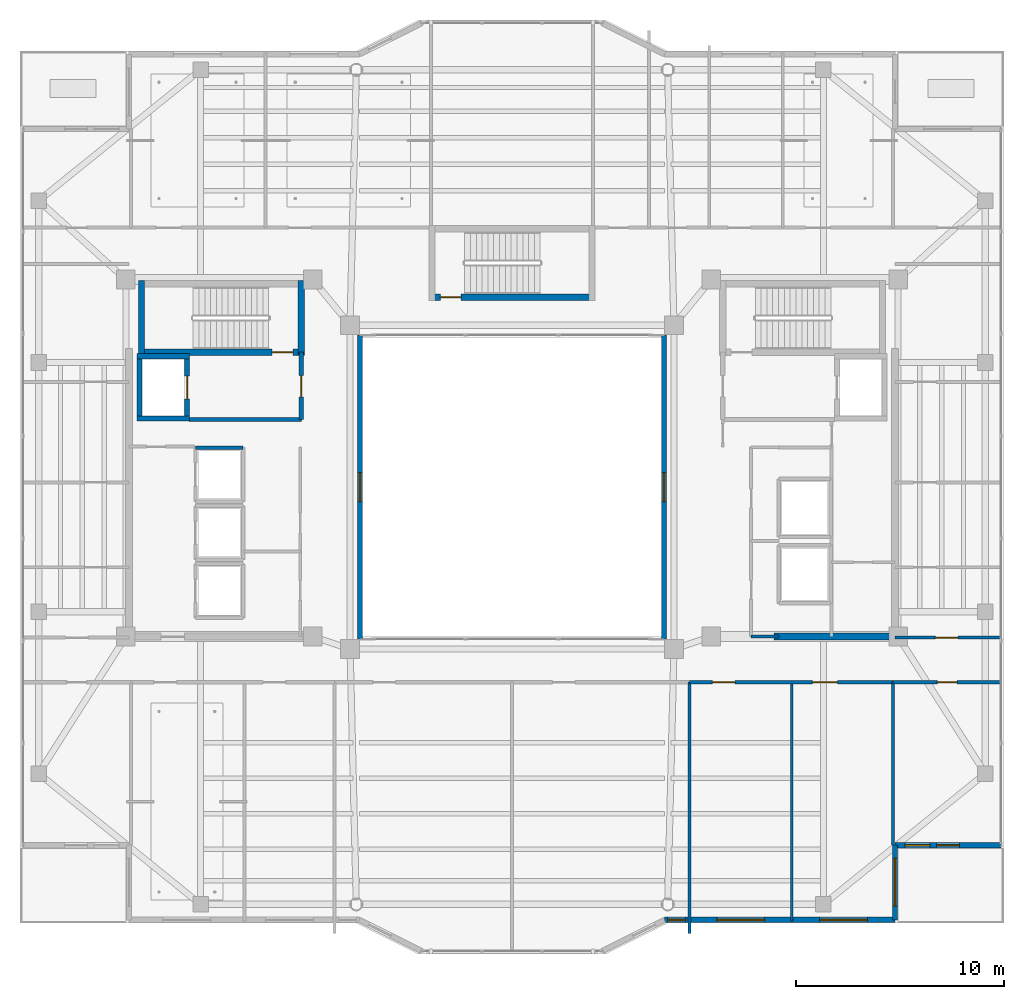
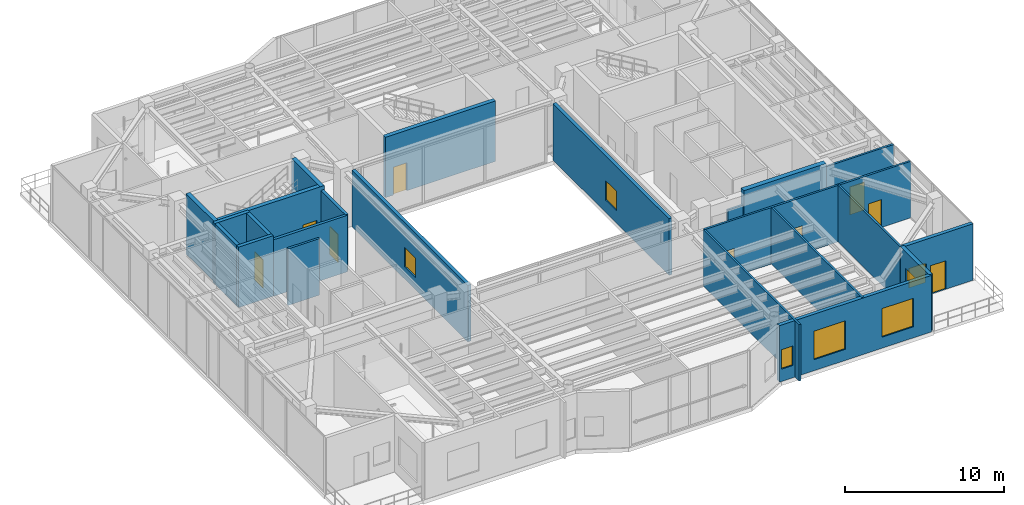
# One storey, part 24 of 34: 24 walls, 9 doors, 7 windows, 16 openings.
"""IFC4 building model written with IfcOpenShell, lengths in metres."""

from ifc_helpers import new_model, si_unit, direction, frame, frame_2d, origin, place, context, subcontext, project, spatial, rectangle, extrude, material, layer, layer_set, type_object, element, fill, save


model = new_model("IFC4")

# Units and contexts
model_context = context("Model", 3, precision=1e-05, world=origin(), true_north=direction((0.0, 1.0)))
body_context = subcontext(model_context, "Body", "Model", "MODEL_VIEW")
ifc_project = project(units=[si_unit("LENGTHUNIT", "METRE"), si_unit("AREAUNIT", "SQUARE_METRE"), si_unit("VOLUMEUNIT", "CUBIC_METRE"), si_unit("PLANEANGLEUNIT", "RADIAN"), si_unit("MASSUNIT", "GRAM", prefix="KILO")], contexts=[model_context])

# Site, building, storey
site_placement = place(None, origin())
site = spatial("IfcSite", under=ifc_project, at=site_placement, CompositionType="ELEMENT")
building_placement = place(site_placement, origin())
building = spatial("IfcBuilding", under=site, at=building_placement, Name="Tarnavaz Court Tower", CompositionType="ELEMENT")
storey_placement = place(building_placement, frame((0.0, 0.0, 231.75)))
storey = spatial("IfcBuildingStorey", under=building, at=storey_placement, Name="L63", CompositionType="ELEMENT", Elevation=231.75)

# Wall
ifc_material_1 = material(Name="Concrete C50/60", Category="concrete")
ifc_layer_1 = layer(ifc_material_1, 0.25)
ifc_layer_set_1 = layer_set([ifc_layer_1], Name="Concrete C50/60")
wall_type_1 = type_object("IfcWallType", Name="WL-CORE-250-C50", PredefinedType="SHEAR", material=ifc_layer_set_1)
wall_1_placement = place(storey_placement, frame((-17.949951171875, 3.175048828125, 0.0), z_axis=(0.0, 0.0, 1.0), x_axis=(0.0, 1.0, 0.0)))
element("IfcWall", 1, at=wall_1_placement, inside=storey, type_object=wall_type_1, Name="L63 Lift FL-W1 Shaft Wall 017", PredefinedType="SHEAR", context=body_context, shape_type="SweptSolid", body=[
    extrude(rectangle(XDim=3.25, YDim=0.25, at=frame_2d((1.625, 0.0))), origin(), (0.0, 0.0, 1.0), 4.64990234375),
])

# Wall, opening, door
wall_2_placement = place(storey_placement, frame((-15.64990234375, 3.175048828125, 0.0), z_axis=(0.0, 0.0, 1.0), x_axis=(0.0, 1.0, 0.0)))
wall_2 = element("IfcWall", 2, at=wall_2_placement, inside=storey, type_object=wall_type_1, Name="L63 Lift FL-W1 Shaft Wall 018", PredefinedType="SHEAR", context=body_context, shape_type="SweptSolid", body=[
    extrude(rectangle(XDim=3.25, YDim=0.25, at=frame_2d((1.625, 0.0))), origin(), (0.0, 0.0, 1.0), 4.64990234375),
])
opening_1_placement = place(wall_2_placement, frame((1.074951171875, 0.0, 0.0)))
opening_1 = element("IfcOpeningElement", 3, at=opening_1_placement, cuts=wall_2, Name="Opening LD1", PredefinedType="OPENING", context=body_context, shape_type="SweptSolid", body=[
    extrude(rectangle(XDim=1.10009765625, YDim=2.14990234375, at=frame_2d((0.550048828125, 1.074951171875))), frame((0.0, 0.135009765625, 0.0), z_axis=(0.0, -1.0, 0.0), x_axis=(1.0, 0.0, 0.0)), (0.0, 0.0, 1.0), 0.27001953125),
])
ifc_material_2 = material(Name="Stainless Steel", Category="steel")
door_type_1 = type_object("IfcDoorType", Name="DR-LD-1100", OperationType="NOTDEFINED", PredefinedType="DOOR", material=ifc_material_2)
door_1_placement = place(opening_1_placement, origin())
door_1 = element("IfcDoor", 4, at=door_1_placement, inside=storey, type_object=door_type_1, Name="L63 Lift Landing Door LD-FL-W1", OperationType="SLIDING_TO_LEFT", OverallHeight=2.14990234375, OverallWidth=1.10009765625, PredefinedType="DOOR", context=body_context, shape_type="SweptSolid", body=[
    extrude(rectangle(XDim=1.10009765625, YDim=2.14990234375, at=frame_2d((0.550048828125, 1.074951171875))), frame((0.0, 0.02490234375, 0.0), z_axis=(0.0, -1.0, 0.0), x_axis=(1.0, 0.0, 0.0)), (0.0, 0.0, 1.0), 0.050048828125),
])
fill(opening_1, door_1)

# Walls
for number, where, z_axis, x_axis, name in (
    (5, (-18.074951171875, 3.300048828125, 0.0), (0.0, 0.0, 1.0), (1.0, 0.0, 0.0), "L63 Lift FL-W1 Shaft Wall 019"),
    (6, (-18.074951171875, 6.300048828125, 0.0), (0.0, 0.0, 1.0), (1.0, 0.0, 0.0), "L63 Lift FL-W1 Shaft Wall 020"),
):
    element("IfcWall", number, at=place(storey_placement, frame(where, z_axis=z_axis, x_axis=x_axis)), inside=storey, type_object=wall_type_1, Name=name, PredefinedType="SHEAR", context=body_context, shape_type="SweptSolid", body=[
        extrude(rectangle(XDim=2.550048828125, YDim=0.25, at=frame_2d((1.27490234375, 0.0))), origin(), (0.0, 0.0, 1.0), 4.64990234375),
    ])

# Wall, opening, door
ifc_layer_2 = layer(ifc_material_1, 0.300048828125)
ifc_layer_set_2 = layer_set([ifc_layer_2], Name="Concrete C50/60")
wall_type_2 = type_object("IfcWallType", Name="WL-CORE-300-C50", PredefinedType="SHEAR", material=ifc_layer_set_2)
wall_3_placement = place(storey_placement, frame((-18.0, 6.5, 0.0), z_axis=(0.0, 0.0, 1.0), x_axis=(1.0, 0.0, 0.0)))
wall_3 = element("IfcWall", 7, at=wall_3_placement, inside=storey, type_object=wall_type_2, Name="L63 West Stair Core Wall 002", PredefinedType="SHEAR", context=body_context, shape_type="SweptSolid", body=[
    extrude(rectangle(XDim=8.0, YDim=0.300048828125, at=frame_2d((4.0, 0.0))), origin(), (0.0, 0.0, 1.0), 4.64990234375),
])
opening_2_placement = place(wall_3_placement, frame((6.449951171875, 0.0, 0.0)))
opening_2 = element("IfcOpeningElement", 8, at=opening_2_placement, cuts=wall_3, Name="Opening D01", PredefinedType="OPENING", context=body_context, shape_type="SweptSolid", body=[
    extrude(rectangle(XDim=1.0, YDim=2.14990234375, at=frame_2d((0.5, 1.074951171875))), frame((0.0, 0.159912109375, 0.0), z_axis=(0.0, -1.0, 0.0), x_axis=(1.0, 0.0, 0.0)), (0.0, 0.0, 1.0), 0.320068359375),
])
ifc_material_3 = material(Name="Fire-Rated Hardwood Timber Core", Category="wood")
door_type_2 = type_object("IfcDoorType", Name="DR-FD90-1000", OperationType="NOTDEFINED", PredefinedType="DOOR", material=ifc_material_3)
door_2_placement = place(opening_2_placement, origin())
door_2 = element("IfcDoor", 9, at=door_2_placement, inside=storey, type_object=door_type_2, Name="L63 Stair ST-W1 Exit Door", OperationType="SINGLE_SWING_LEFT", OverallHeight=2.14990234375, OverallWidth=1.0, PredefinedType="DOOR", context=body_context, shape_type="SweptSolid", body=[
    extrude(rectangle(XDim=1.0, YDim=2.14990234375, at=frame_2d((0.5, 1.074951171875))), frame((0.0, 0.02490234375, 0.0), z_axis=(0.0, -1.0, 0.0), x_axis=(1.0, 0.0, 0.0)), (0.0, 0.0, 1.0), 0.050048828125),
])
fill(opening_2, door_2)

# Walls
for number, where, z_axis, x_axis, name in (
    (10, (-17.85009765625, 6.35009765625, 0.0), (0.0, 0.0, 1.0), (0.0, 1.0, 0.0), "L63 West Stair Core Wall 003"),
    (11, (-10.14990234375, 6.35009765625, 0.0), (0.0, 0.0, 1.0), (0.0, 1.0, 0.0), "L63 West Stair Core Wall 004"),
):
    element("IfcWall", number, at=place(storey_placement, frame(where, z_axis=z_axis, x_axis=x_axis)), inside=storey, type_object=wall_type_2, Name=name, PredefinedType="SHEAR", context=body_context, shape_type="SweptSolid", body=[
        extrude(rectangle(XDim=3.58984375, YDim=0.300048828125, at=frame_2d((1.794921875, 0.0))), origin(), (0.0, 0.0, 1.0), 4.64990234375),
    ])

# Wall, opening, door
wall_4_placement = place(storey_placement, frame((-4.0, 9.14990234375, 0.0), z_axis=(0.0, 0.0, 1.0), x_axis=(1.0, 0.0, 0.0)))
wall_4 = element("IfcWall", 12, at=wall_4_placement, inside=storey, type_object=wall_type_2, Name="L63 North Stair Core Wall 010", PredefinedType="SHEAR", context=body_context, shape_type="SweptSolid", body=[
    extrude(rectangle(XDim=8.0, YDim=0.300048828125, at=frame_2d((4.0, 0.0))), origin(), (0.0, 0.0, 1.0), 4.64990234375),
])
opening_3_placement = place(wall_4_placement, frame((0.550048828125, 0.0, 0.0)))
opening_3 = element("IfcOpeningElement", 13, at=opening_3_placement, cuts=wall_4, Name="Opening D01", PredefinedType="OPENING", context=body_context, shape_type="SweptSolid", body=[
    extrude(rectangle(XDim=1.0, YDim=2.14990234375, at=frame_2d((0.5, 1.074951171875))), frame((0.0, 0.159912109375, 0.0), z_axis=(0.0, -1.0, 0.0), x_axis=(1.0, 0.0, 0.0)), (0.0, 0.0, 1.0), 0.320068359375),
])
door_3_placement = place(opening_3_placement, origin())
door_3 = element("IfcDoor", 14, at=door_3_placement, inside=storey, type_object=door_type_2, Name="L63 Stair ST-N1 Exit Door", OperationType="SINGLE_SWING_LEFT", OverallHeight=2.14990234375, OverallWidth=1.0, PredefinedType="DOOR", context=body_context, shape_type="SweptSolid", body=[
    extrude(rectangle(XDim=1.0, YDim=2.14990234375, at=frame_2d((0.5, 1.074951171875))), frame((0.0, 0.02490234375, 0.0), z_axis=(0.0, -1.0, 0.0), x_axis=(1.0, 0.0, 0.0)), (0.0, 0.0, 1.0), 0.050048828125),
])
fill(opening_3, door_3)

# Wall
ifc_layer_3 = layer(ifc_material_1, 0.35009765625)
ifc_layer_set_3 = layer_set([ifc_layer_3], Name="Concrete C50/60")
wall_type_3 = type_object("IfcWallType", Name="WL-CORE-350-C50", PredefinedType="SHEAR", material=ifc_layer_set_3)
wall_5_placement = place(storey_placement, frame((12.625, -7.199951171875, 0.0), z_axis=(0.0, 0.0, 1.0), x_axis=(1.0, 0.0, 0.0)))
element("IfcWall", 15, at=wall_5_placement, inside=storey, type_object=wall_type_3, Name="L63 East Core South Shear Wall 048", PredefinedType="SHEAR", context=body_context, shape_type="SweptSolid", body=[
    extrude(rectangle(XDim=6.0, YDim=0.35009765625, at=frame_2d((3.0, 0.0))), origin(), (0.0, 0.0, 1.0), 4.64990234375),
])

# Wall, openings, door, window
ifc_material_4 = material(Name="Precast Concrete C40/50", Category="concrete")
ifc_layer_4 = layer(ifc_material_4, 0.260009765625)
ifc_layer_set_4 = layer_set([ifc_layer_4], Name="Precast Concrete C40/50")
wall_type_4 = type_object("IfcWallType", Name="WL-EXT-260", PredefinedType="SOLIDWALL", material=ifc_layer_set_4)
wall_6_placement = place(storey_placement, frame((23.550048828125, -17.25, 0.0), z_axis=(0.0, 0.0, 1.0), x_axis=(-1.0, 0.0, 0.0)))
wall_6 = element("IfcWall", 16, at=wall_6_placement, inside=storey, type_object=wall_type_4, Name="L63 Exterior Terracotta Facade Wall 13", PredefinedType="SOLIDWALL", context=body_context, shape_type="SweptSolid", body=[
    extrude(rectangle(XDim=5.10009765625, YDim=0.260009765625, at=frame_2d((2.550048828125, 0.0))), origin(), (0.0, 0.0, 1.0), 4.35009765625),
])
opening_4_placement = place(wall_6_placement, frame((2.0, 0.0, 0.0)))
opening_4 = element("IfcOpeningElement", 17, at=opening_4_placement, cuts=wall_6, Name="Opening TD1", PredefinedType="OPENING", context=body_context, shape_type="SweptSolid", body=[
    extrude(rectangle(XDim=1.10009765625, YDim=2.199951171875, at=frame_2d((0.550048828125, 1.10009765625))), frame((0.0, 0.139892578125, 0.0), z_axis=(0.0, -1.0, 0.0), x_axis=(1.0, 0.0, 0.0)), (0.0, 0.0, 1.0), 0.280029296875),
])
opening_5_placement = place(wall_6_placement, frame((3.419921875, 0.0, 0.949951171875)))
opening_5 = element("IfcOpeningElement", 18, at=opening_5_placement, cuts=wall_6, Name="Opening W05", PredefinedType="OPENING", context=body_context, shape_type="SweptSolid", body=[
    extrude(rectangle(XDim=1.199951171875, YDim=1.5, at=frame_2d((0.60009765625, 0.75))), frame((0.0, 0.139892578125, 0.0), z_axis=(0.0, -1.0, 0.0), x_axis=(1.0, 0.0, 0.0)), (0.0, 0.0, 1.0), 0.280029296875),
])
ifc_material_5 = material(Name="Thermally Broken Aluminium and Laminated Glass", Category="aluminium")
door_type_3 = type_object("IfcDoorType", Name="DR-TERR-1100", OperationType="NOTDEFINED", PredefinedType="DOOR", material=ifc_material_5)
door_4_placement = place(opening_4_placement, origin())
door_4 = element("IfcDoor", 19, at=door_4_placement, inside=storey, type_object=door_type_3, Name="L63 Sky Terrace Access Door 3", OperationType="SINGLE_SWING_LEFT", OverallHeight=2.199951171875, OverallWidth=1.10009765625, PredefinedType="DOOR", context=body_context, shape_type="SweptSolid", body=[
    extrude(rectangle(XDim=1.10009765625, YDim=2.199951171875, at=frame_2d((0.550048828125, 1.10009765625))), frame((0.0, 0.02490234375, 0.0), z_axis=(0.0, -1.0, 0.0), x_axis=(1.0, 0.0, 0.0)), (0.0, 0.0, 1.0), 0.050048828125),
])
fill(opening_4, door_4)
ifc_material_6 = material(Name="Double-Glazed Solar Low-E Glass", Category="glass")
window_type_1 = type_object("IfcWindowType", Name="WN-APT-1200", PartitioningType="SINGLE_PANEL", PredefinedType="WINDOW", material=ifc_material_6)
window_1_placement = place(opening_5_placement, origin())
window_1 = element("IfcWindow", 20, at=window_1_placement, inside=storey, type_object=window_type_1, Name="L63 L63 SE Terrace Salon Window", OverallHeight=1.5, OverallWidth=1.199951171875, PartitioningType="SINGLE_PANEL", PredefinedType="WINDOW", context=body_context, shape_type="SweptSolid", body=[
    extrude(rectangle(XDim=1.199951171875, YDim=1.5, at=frame_2d((0.60009765625, 0.75))), frame((0.0, 0.030029296875, 0.0), z_axis=(0.0, -1.0, 0.0), x_axis=(1.0, 0.0, 0.0)), (0.0, 0.0, 1.0), 0.06005859375),
])
fill(opening_5, window_1)

# Wall, opening, window
wall_7_placement = place(storey_placement, frame((18.449951171875, -17.25, 0.0), z_axis=(0.0, 0.0, 1.0), x_axis=(0.0, -1.0, 0.0)))
wall_7 = element("IfcWall", 21, at=wall_7_placement, inside=storey, type_object=wall_type_4, Name="L63 Exterior Terracotta Facade Wall 14", PredefinedType="SOLIDWALL", context=body_context, shape_type="SweptSolid", body=[
    extrude(rectangle(XDim=3.60009765625, YDim=0.260009765625, at=frame_2d((1.800048828125, 0.0))), origin(), (0.0, 0.0, 1.0), 4.35009765625),
])
opening_6_placement = place(wall_7_placement, frame((0.632568359375, 0.0, 0.85009765625)))
opening_6 = element("IfcOpeningElement", 22, at=opening_6_placement, cuts=wall_7, Name="Opening W12", PredefinedType="OPENING", context=body_context, shape_type="SweptSolid", body=[
    extrude(rectangle(XDim=2.300048828125, YDim=2.199951171875, at=frame_2d((1.14990234375, 1.10009765625))), frame((0.0, 0.139892578125, 0.0), z_axis=(0.0, -1.0, 0.0), x_axis=(1.0, 0.0, 0.0)), (0.0, 0.0, 1.0), 0.280029296875),
])
window_type_2 = type_object("IfcWindowType", Name="WN-COM-2300", PartitioningType="DOUBLE_PANEL_VERTICAL", PredefinedType="WINDOW", material=ifc_material_6)
window_2_placement = place(opening_6_placement, origin())
window_2 = element("IfcWindow", 23, at=window_2_placement, inside=storey, type_object=window_type_2, Name="L63 L63 Communal Dining Hall Window", OverallHeight=2.199951171875, OverallWidth=2.300048828125, PartitioningType="SINGLE_PANEL", PredefinedType="WINDOW", context=body_context, shape_type="SweptSolid", body=[
    extrude(rectangle(XDim=2.300048828125, YDim=2.199951171875, at=frame_2d((1.14990234375, 1.10009765625))), frame((0.0, 0.030029296875, 0.0), z_axis=(0.0, -1.0, 0.0), x_axis=(1.0, 0.0, 0.0)), (0.0, 0.0, 1.0), 0.06005859375),
])
fill(opening_6, window_2)

# Wall, openings, windows
wall_8_placement = place(storey_placement, frame((18.449951171875, -20.85009765625, 0.0), z_axis=(0.0, 0.0, 1.0), x_axis=(-1.0, 0.0, 0.0)))
wall_8 = element("IfcWall", 24, at=wall_8_placement, inside=storey, type_object=wall_type_4, Name="L63 Exterior Terracotta Facade Wall 15", PredefinedType="SOLIDWALL", context=body_context, shape_type="SweptSolid", body=[
    extrude(rectangle(XDim=11.099853515625, YDim=0.260009765625, at=frame_2d((5.5498046875, 0.0))), origin(), (0.0, 0.0, 1.0), 4.35009765625),
])
opening_7_placement = place(wall_8_placement, frame((1.336181640625, 0.0, 0.85009765625)))
opening_7 = element("IfcOpeningElement", 25, at=opening_7_placement, cuts=wall_8, Name="Opening W12", PredefinedType="OPENING", context=body_context, shape_type="SweptSolid", body=[
    extrude(rectangle(XDim=2.300048828125, YDim=2.199951171875, at=frame_2d((1.14990234375, 1.10009765625))), frame((0.0, 0.139892578125, 0.0), z_axis=(0.0, -1.0, 0.0), x_axis=(1.0, 0.0, 0.0)), (0.0, 0.0, 1.0), 0.280029296875),
])
opening_8_placement = place(wall_8_placement, frame((6.283447265625, 0.0, 0.85009765625)))
opening_8 = element("IfcOpeningElement", 26, at=opening_8_placement, cuts=wall_8, Name="Opening W12", PredefinedType="OPENING", context=body_context, shape_type="SweptSolid", body=[
    extrude(rectangle(XDim=2.300048828125, YDim=2.199951171875, at=frame_2d((1.14990234375, 1.10009765625))), frame((0.0, 0.139892578125, 0.0), z_axis=(0.0, -1.0, 0.0), x_axis=(1.0, 0.0, 0.0)), (0.0, 0.0, 1.0), 0.280029296875),
])
opening_9_placement = place(wall_8_placement, frame((10.1025390625, 0.0, 0.949951171875)))
opening_9 = element("IfcOpeningElement", 27, at=opening_9_placement, cuts=wall_8, Name="Opening W15", PredefinedType="OPENING", context=body_context, shape_type="SweptSolid", body=[
    extrude(rectangle(XDim=0.85009765625, YDim=1.5, at=frame_2d((0.425048828125, 0.75))), frame((0.0, 0.139892578125, 0.0), z_axis=(0.0, -1.0, 0.0), x_axis=(1.0, 0.0, 0.0)), (0.0, 0.0, 1.0), 0.280029296875),
])
window_type_3 = type_object("IfcWindowType", Name="WN-APT-850", PartitioningType="SINGLE_PANEL", PredefinedType="WINDOW", material=ifc_material_6)
window_3_placement = place(opening_9_placement, origin())
window_3 = element("IfcWindow", 28, at=window_3_placement, inside=storey, type_object=window_type_3, Name="L63 L63 South-East Music and Arts Studio Window", OverallHeight=1.5, OverallWidth=0.85009765625, PartitioningType="SINGLE_PANEL", PredefinedType="WINDOW", context=body_context, shape_type="SweptSolid", body=[
    extrude(rectangle(XDim=0.85009765625, YDim=1.5, at=frame_2d((0.425048828125, 0.75))), frame((0.0, 0.030029296875, 0.0), z_axis=(0.0, -1.0, 0.0), x_axis=(1.0, 0.0, 0.0)), (0.0, 0.0, 1.0), 0.06005859375),
])
fill(opening_9, window_3)
window_4_placement = place(opening_7_placement, origin())
window_4 = element("IfcWindow", 29, at=window_4_placement, inside=storey, type_object=window_type_2, Name="L63 L63 Communal Dining Hall Window", OverallHeight=2.199951171875, OverallWidth=2.300048828125, PartitioningType="SINGLE_PANEL", PredefinedType="WINDOW", context=body_context, shape_type="SweptSolid", body=[
    extrude(rectangle(XDim=2.300048828125, YDim=2.199951171875, at=frame_2d((1.14990234375, 1.10009765625))), frame((0.0, 0.030029296875, 0.0), z_axis=(0.0, -1.0, 0.0), x_axis=(1.0, 0.0, 0.0)), (0.0, 0.0, 1.0), 0.06005859375),
])
fill(opening_7, window_4)
window_5_placement = place(opening_8_placement, origin())
window_5 = element("IfcWindow", 30, at=window_5_placement, inside=storey, type_object=window_type_2, Name="L63 L63 Residents Counseling Office Window", OverallHeight=2.199951171875, OverallWidth=2.300048828125, PartitioningType="SINGLE_PANEL", PredefinedType="WINDOW", context=body_context, shape_type="SweptSolid", body=[
    extrude(rectangle(XDim=2.300048828125, YDim=2.199951171875, at=frame_2d((1.14990234375, 1.10009765625))), frame((0.0, 0.030029296875, 0.0), z_axis=(0.0, -1.0, 0.0), x_axis=(1.0, 0.0, 0.0)), (0.0, 0.0, 1.0), 0.06005859375),
])
fill(opening_8, window_5)

# Wall, openings, doors
ifc_material_7 = material(Name="Gypsum Fire-Board on Acoustic Metal Stud", Category="masonry")
ifc_layer_5 = layer(ifc_material_7, 0.14990234375)
ifc_layer_set_5 = layer_set([ifc_layer_5], Name="Gypsum Fire-Board on Acoustic Metal Stud")
wall_type_5 = type_object("IfcWallType", Name="WL-FIRE-150", PredefinedType="PARTITIONING", material=ifc_layer_set_5)
wall_9_placement = place(storey_placement, frame((8.550048828125, -9.39990234375, 0.0), z_axis=(0.0, 0.0, 1.0), x_axis=(1.0, 0.0, 0.0)))
wall_9 = element("IfcWall", 31, at=wall_9_placement, inside=storey, type_object=wall_type_5, Name="L63 SE Lobby Wall 063", PredefinedType="PARTITIONING", context=body_context, shape_type="SweptSolid", body=[
    extrude(rectangle(XDim=9.800048828125, YDim=0.14990234375, at=frame_2d((4.89990234375, 0.0))), origin(), (0.0, 0.0, 1.0), 4.35009765625),
])
opening_10_placement = place(wall_9_placement, frame((1.10009765625, 0.0, 0.0)))
opening_10 = element("IfcOpeningElement", 32, at=opening_10_placement, cuts=wall_9, Name="Opening D12", PredefinedType="OPENING", context=body_context, shape_type="SweptSolid", body=[
    extrude(rectangle(XDim=1.080078125, YDim=2.14990234375, at=frame_2d((0.5400390625, 1.074951171875))), frame((0.0, 0.0849609375, 0.0), z_axis=(0.0, -1.0, 0.0), x_axis=(1.0, 0.0, 0.0)), (0.0, 0.0, 1.0), 0.169921875),
])
opening_11_placement = place(wall_9_placement, frame((5.925048828125, 0.0, 0.0)))
opening_11 = element("IfcOpeningElement", 33, at=opening_11_placement, cuts=wall_9, Name="Opening D11", PredefinedType="OPENING", context=body_context, shape_type="SweptSolid", body=[
    extrude(rectangle(XDim=1.199951171875, YDim=2.14990234375, at=frame_2d((0.60009765625, 1.074951171875))), frame((0.0, 0.0849609375, 0.0), z_axis=(0.0, -1.0, 0.0), x_axis=(1.0, 0.0, 0.0)), (0.0, 0.0, 1.0), 0.169921875),
])
ifc_material_8 = material(Name="Engineered Oak Timber", Category="wood")
door_type_4 = type_object("IfcDoorType", Name="DR-INT-1100", OperationType="NOTDEFINED", PredefinedType="DOOR", material=ifc_material_8)
door_5_placement = place(opening_10_placement, origin())
door_5 = element("IfcDoor", 34, at=door_5_placement, inside=storey, type_object=door_type_4, Name="L63 Counseling Office Door", OperationType="SINGLE_SWING_RIGHT", OverallHeight=2.14990234375, OverallWidth=1.080078125, PredefinedType="DOOR", context=body_context, shape_type="SweptSolid", body=[
    extrude(rectangle(XDim=1.080078125, YDim=2.14990234375, at=frame_2d((0.5400390625, 1.074951171875))), frame((0.0, 0.02490234375, 0.0), z_axis=(0.0, -1.0, 0.0), x_axis=(1.0, 0.0, 0.0)), (0.0, 0.0, 1.0), 0.050048828125),
])
fill(opening_10, door_5)
door_type_5 = type_object("IfcDoorType", Name="DR-INT-1200", OperationType="NOTDEFINED", PredefinedType="DOOR", material=ifc_material_8)
door_6_placement = place(opening_11_placement, origin())
door_6 = element("IfcDoor", 35, at=door_6_placement, inside=storey, type_object=door_type_5, Name="L63 L63 Communal Dining Hall Door", OperationType="SINGLE_SWING_LEFT", OverallHeight=2.14990234375, OverallWidth=1.199951171875, PredefinedType="DOOR", context=body_context, shape_type="SweptSolid", body=[
    extrude(rectangle(XDim=1.199951171875, YDim=2.14990234375, at=frame_2d((0.60009765625, 1.074951171875))), frame((0.0, 0.02490234375, 0.0), z_axis=(0.0, -1.0, 0.0), x_axis=(1.0, 0.0, 0.0)), (0.0, 0.0, 1.0), 0.050048828125),
])
fill(opening_11, door_6)

# Wall, opening, door
wall_10_placement = place(storey_placement, frame((18.449951171875, -7.25, 0.0), z_axis=(0.0, 0.0, 1.0), x_axis=(1.0, 0.0, 0.0)))
wall_10 = element("IfcWall", 36, at=wall_10_placement, inside=storey, type_object=wall_type_5, Name="L63 Interior Partition 077", PredefinedType="PARTITIONING", context=body_context, shape_type="SweptSolid", body=[
    extrude(rectangle(XDim=5.130126953125, YDim=0.14990234375, at=frame_2d((2.56494140625, 0.0))), origin(), (0.0, 0.0, 1.0), 4.35009765625),
])
opening_12_placement = place(wall_10_placement, frame((1.949951171875, 0.0, 0.0)))
opening_12 = element("IfcOpeningElement", 37, at=opening_12_placement, cuts=wall_10, Name="Opening D12", PredefinedType="OPENING", context=body_context, shape_type="SweptSolid", body=[
    extrude(rectangle(XDim=1.080078125, YDim=2.14990234375, at=frame_2d((0.5400390625, 1.074951171875))), frame((0.0, 0.0849609375, 0.0), z_axis=(0.0, -1.0, 0.0), x_axis=(1.0, 0.0, 0.0)), (0.0, 0.0, 1.0), 0.169921875),
])
door_7_placement = place(opening_12_placement, origin())
door_7 = element("IfcDoor", 38, at=door_7_placement, inside=storey, type_object=door_type_4, Name="L63 East Suite Room 1 Door", OperationType="SINGLE_SWING_RIGHT", OverallHeight=2.14990234375, OverallWidth=1.080078125, PredefinedType="DOOR", context=body_context, shape_type="SweptSolid", body=[
    extrude(rectangle(XDim=1.080078125, YDim=2.14990234375, at=frame_2d((0.5400390625, 1.074951171875))), frame((0.0, 0.02490234375, 0.0), z_axis=(0.0, -1.0, 0.0), x_axis=(1.0, 0.0, 0.0)), (0.0, 0.0, 1.0), 0.050048828125),
])
fill(opening_12, door_7)

wall_11_placement = place(storey_placement, frame((18.35009765625, -9.39990234375, 0.0), z_axis=(0.0, 0.0, 1.0), x_axis=(1.0, 0.0, 0.0)))
wall_11 = element("IfcWall", 39, at=wall_11_placement, inside=storey, type_object=wall_type_5, Name="L63 Interior Partition 087", PredefinedType="PARTITIONING", context=body_context, shape_type="SweptSolid", body=[
    extrude(rectangle(XDim=5.22998046875, YDim=0.14990234375, at=frame_2d((2.614990234375, 0.0))), origin(), (0.0, 0.0, 1.0), 4.35009765625),
])
opening_13_placement = place(wall_11_placement, frame((2.139892578125, 0.0, 0.0)))
opening_13 = element("IfcOpeningElement", 40, at=opening_13_placement, cuts=wall_11, Name="Opening D13", PredefinedType="OPENING", context=body_context, shape_type="SweptSolid", body=[
    extrude(rectangle(XDim=0.949951171875, YDim=2.14990234375, at=frame_2d((0.47509765625, 1.074951171875))), frame((0.0, 0.0849609375, 0.0), z_axis=(0.0, -1.0, 0.0), x_axis=(1.0, 0.0, 0.0)), (0.0, 0.0, 1.0), 0.169921875),
])
door_type_6 = type_object("IfcDoorType", Name="DR-INT-950", OperationType="NOTDEFINED", PredefinedType="DOOR", material=ifc_material_8)
door_8_placement = place(opening_13_placement, origin())
door_8 = element("IfcDoor", 41, at=door_8_placement, inside=storey, type_object=door_type_6, Name="L63 SE Terrace Salon Door", OperationType="SINGLE_SWING_LEFT", OverallHeight=2.14990234375, OverallWidth=0.949951171875, PredefinedType="DOOR", context=body_context, shape_type="SweptSolid", body=[
    extrude(rectangle(XDim=0.949951171875, YDim=2.14990234375, at=frame_2d((0.47509765625, 1.074951171875))), frame((0.0, 0.02490234375, 0.0), z_axis=(0.0, -1.0, 0.0), x_axis=(1.0, 0.0, 0.0)), (0.0, 0.0, 1.0), 0.050048828125),
])
fill(opening_13, door_8)

# Wall
ifc_material_9 = material(Name="Autoclaved Aerated Concrete Blockwork", Category="masonry")
ifc_layer_6 = layer(ifc_material_9, 0.199951171875)
ifc_layer_set_6 = layer_set([ifc_layer_6], Name="Autoclaved Aerated Concrete Blockwork")
wall_type_6 = type_object("IfcWallType", Name="WL-FIRE-200", PredefinedType="SOLIDWALL", material=ifc_layer_set_6)
wall_12_placement = place(storey_placement, frame((-15.550048828125, 3.25, 0.0), z_axis=(0.0, 0.0, 1.0), x_axis=(1.0, 0.0, 0.0)))
element("IfcWall", 42, at=wall_12_placement, inside=storey, type_object=wall_type_6, Name="L63 West Firefighting Lobby Wall 013", PredefinedType="SOLIDWALL", context=body_context, shape_type="SweptSolid", body=[
    extrude(rectangle(XDim=5.400146484375, YDim=0.199951171875, at=frame_2d((2.7001953125, 0.0))), origin(), (0.0, 0.0, 1.0), 4.35009765625),
])

# Wall, opening, door
wall_13_placement = place(storey_placement, frame((-10.14990234375, 3.25, 0.0), z_axis=(0.0, 0.0, 1.0), x_axis=(0.0, 1.0, 0.0)))
wall_13 = element("IfcWall", 43, at=wall_13_placement, inside=storey, type_object=wall_type_6, Name="L63 West Firefighting Lobby Wall 014", PredefinedType="SOLIDWALL", context=body_context, shape_type="SweptSolid", body=[
    extrude(rectangle(XDim=3.25, YDim=0.199951171875, at=frame_2d((1.625, 0.0))), origin(), (0.0, 0.0, 1.0), 4.35009765625),
])
opening_14_placement = place(wall_13_placement, frame((1.10009765625, 0.0, 0.0)))
opening_14 = element("IfcOpeningElement", 44, at=opening_14_placement, cuts=wall_13, Name="Opening D05", PredefinedType="OPENING", context=body_context, shape_type="SweptSolid", body=[
    extrude(rectangle(XDim=1.02001953125, YDim=2.14990234375, at=frame_2d((0.510009765625, 1.074951171875))), frame((0.0, 0.10986328125, 0.0), z_axis=(0.0, -1.0, 0.0), x_axis=(1.0, 0.0, 0.0)), (0.0, 0.0, 1.0), 0.219970703125),
])
door_type_7 = type_object("IfcDoorType", Name="DR-FD60-1000", OperationType="NOTDEFINED", PredefinedType="DOOR", material=ifc_material_3)
door_9_placement = place(opening_14_placement, origin())
door_9 = element("IfcDoor", 45, at=door_9_placement, inside=storey, type_object=door_type_7, Name="L63 West Firefighting Lobby Door", OperationType="SINGLE_SWING_RIGHT", OverallHeight=2.14990234375, OverallWidth=1.02001953125, PredefinedType="DOOR", context=body_context, shape_type="SweptSolid", body=[
    extrude(rectangle(XDim=1.02001953125, YDim=2.14990234375, at=frame_2d((0.510009765625, 1.074951171875))), frame((0.0, 0.02490234375, 0.0), z_axis=(0.0, -1.0, 0.0), x_axis=(1.0, 0.0, 0.0)), (0.0, 0.0, 1.0), 0.050048828125),
])
fill(opening_14, door_9)

# Walls
ifc_material_10 = material(Name="Gypsum Plasterboard Acoustic Partition", Category="masonry")
ifc_layer_7 = layer(ifc_material_10, 0.139892578125)
ifc_layer_set_7 = layer_set([ifc_layer_7], Name="Gypsum Plasterboard Acoustic Partition")
wall_type_7 = type_object("IfcWallType", Name="WL-PART-150", PredefinedType="PARTITIONING", material=ifc_layer_set_7)
wall_14_placement = place(storey_placement, frame((11.52001953125, -7.199951171875, 0.0), z_axis=(0.0, 0.0, 1.0), x_axis=(1.0, 0.0, 0.0)))
element("IfcWall", 46, at=wall_14_placement, inside=storey, type_object=wall_type_7, Name="L63 Interior Partition 058", PredefinedType="PARTITIONING", context=body_context, shape_type="SweptSolid", body=[
    extrude(rectangle(XDim=1.330078125, YDim=0.139892578125, at=frame_2d((0.6650390625, 0.0))), origin(), (0.0, 0.0, 1.0), 3.485107421875),
])
wall_15_placement = place(storey_placement, frame((8.550048828125, -21.50390625, 0.0), z_axis=(0.0, 0.0, 1.0), x_axis=(0.0, 1.0, 0.0)))
element("IfcWall", 47, at=wall_15_placement, inside=storey, type_object=wall_type_7, Name="L63 Interior Partition 072", PredefinedType="PARTITIONING", context=body_context, shape_type="SweptSolid", body=[
    extrude(rectangle(XDim=12.10400390625, YDim=0.139892578125, at=frame_2d((6.052001953125, 0.0))), origin(), (0.0, 0.0, 1.0), 4.35009765625),
])
wall_16_placement = place(storey_placement, frame((13.47509765625, -20.89990234375, 0.0), z_axis=(0.0, 0.0, 1.0), x_axis=(0.0, 1.0, 0.0)))
element("IfcWall", 48, at=wall_16_placement, inside=storey, type_object=wall_type_7, Name="L63 Interior Partition 073", PredefinedType="PARTITIONING", context=body_context, shape_type="SweptSolid", body=[
    extrude(rectangle(XDim=11.5, YDim=0.139892578125, at=frame_2d((5.75, 0.0))), origin(), (0.0, 0.0, 1.0), 4.35009765625),
])
wall_17_placement = place(storey_placement, frame((18.35009765625, -17.25, 0.0), z_axis=(0.0, 0.0, 1.0), x_axis=(0.0, 1.0, 0.0)))
element("IfcWall", 49, at=wall_17_placement, inside=storey, type_object=wall_type_7, Name="L63 Interior Partition 081", PredefinedType="PARTITIONING", context=body_context, shape_type="SweptSolid", body=[
    extrude(rectangle(XDim=7.85009765625, YDim=0.139892578125, at=frame_2d((3.925048828125, 0.0))), origin(), (0.0, 0.0, 1.0), 4.35009765625),
])
ifc_layer_8 = layer(ifc_material_9, 0.159912109375)
ifc_layer_set_8 = layer_set([ifc_layer_8], Name="Autoclaved Aerated Concrete Blockwork")
wall_type_8 = type_object("IfcWallType", Name="WL-SHAFT-150", PredefinedType="SOLIDWALL", material=ifc_layer_set_8)
wall_18_placement = place(storey_placement, frame((-15.25, 1.89990234375, 0.0), z_axis=(0.0, 0.0, 1.0), x_axis=(1.0, 0.0, 0.0)))
element("IfcWall", 50, at=wall_18_placement, inside=storey, type_object=wall_type_8, Name="L63 Lift PL-H3 Shaft Wall 032", PredefinedType="SOLIDWALL", context=body_context, shape_type="SweptSolid", body=[
    extrude(rectangle(XDim=2.300048828125, YDim=0.159912109375, at=frame_2d((1.14990234375, 0.0))), origin(), (0.0, 0.0, 1.0), 4.35009765625),
])

# Wall, opening, window
ifc_layer_9 = layer(ifc_material_4, 0.239990234375)
ifc_layer_set_9 = layer_set([ifc_layer_9], Name="Precast Concrete C40/50")
wall_type_9 = type_object("IfcWallType", Name="WL-WELL-240", PredefinedType="SOLIDWALL", material=ifc_layer_set_9)
wall_19_placement = place(storey_placement, frame((7.320068359375, -7.320068359375, 0.0), z_axis=(0.0, 0.0, 1.0), x_axis=(0.0, 1.0, 0.0)))
wall_19 = element("IfcWall", 51, at=wall_19_placement, inside=storey, type_object=wall_type_9, Name="L63 Badgir Light-Well Exterior Wall E", PredefinedType="SOLIDWALL", context=body_context, shape_type="SweptSolid", body=[
    extrude(rectangle(XDim=14.64013671875, YDim=0.239990234375, at=frame_2d((7.320068359375, 0.0))), origin(), (0.0, 0.0, 1.0), 4.35009765625),
])
opening_15_placement = place(wall_19_placement, frame((6.6201171875, 0.0, 0.949951171875)))
opening_15 = element("IfcOpeningElement", 52, at=opening_15_placement, cuts=wall_19, Name="Opening W13", PredefinedType="OPENING", context=body_context, shape_type="SweptSolid", body=[
    extrude(rectangle(XDim=1.39990234375, YDim=1.5, at=frame_2d((0.699951171875, 0.75))), frame((0.0, 0.1298828125, 0.0), z_axis=(0.0, -1.0, 0.0), x_axis=(1.0, 0.0, 0.0)), (0.0, 0.0, 1.0), 0.260009765625),
])
window_type_4 = type_object("IfcWindowType", Name="WN-WEL-1400", PartitioningType="SINGLE_PANEL", PredefinedType="WINDOW", material=ifc_material_6)
window_6_placement = place(opening_15_placement, origin())
window_6 = element("IfcWindow", 53, at=window_6_placement, inside=storey, type_object=window_type_4, Name="L63 Courtyard Gallery Window E", OverallHeight=1.5, OverallWidth=1.39990234375, PartitioningType="SINGLE_PANEL", PredefinedType="WINDOW", context=body_context, shape_type="SweptSolid", body=[
    extrude(rectangle(XDim=1.39990234375, YDim=1.5, at=frame_2d((0.699951171875, 0.75))), frame((0.0, 0.030029296875, 0.0), z_axis=(0.0, -1.0, 0.0), x_axis=(1.0, 0.0, 0.0)), (0.0, 0.0, 1.0), 0.06005859375),
])
fill(opening_15, window_6)

wall_20_placement = place(storey_placement, frame((-7.320068359375, 7.320068359375, 0.0), z_axis=(0.0, 0.0, 1.0), x_axis=(0.0, -1.0, 0.0)))
wall_20 = element("IfcWall", 54, at=wall_20_placement, inside=storey, type_object=wall_type_9, Name="L63 Badgir Light-Well Exterior Wall W", PredefinedType="SOLIDWALL", context=body_context, shape_type="SweptSolid", body=[
    extrude(rectangle(XDim=14.64013671875, YDim=0.239990234375, at=frame_2d((7.320068359375, 0.0))), origin(), (0.0, 0.0, 1.0), 4.35009765625),
])
opening_16_placement = place(wall_20_placement, frame((6.6201171875, 0.0, 0.949951171875)))
opening_16 = element("IfcOpeningElement", 55, at=opening_16_placement, cuts=wall_20, Name="Opening W13", PredefinedType="OPENING", context=body_context, shape_type="SweptSolid", body=[
    extrude(rectangle(XDim=1.39990234375, YDim=1.5, at=frame_2d((0.699951171875, 0.75))), frame((0.0, 0.1298828125, 0.0), z_axis=(0.0, -1.0, 0.0), x_axis=(1.0, 0.0, 0.0)), (0.0, 0.0, 1.0), 0.260009765625),
])
window_7_placement = place(opening_16_placement, origin())
window_7 = element("IfcWindow", 56, at=window_7_placement, inside=storey, type_object=window_type_4, Name="L63 Courtyard Gallery Window W", OverallHeight=1.5, OverallWidth=1.39990234375, PartitioningType="SINGLE_PANEL", PredefinedType="WINDOW", context=body_context, shape_type="SweptSolid", body=[
    extrude(rectangle(XDim=1.39990234375, YDim=1.5, at=frame_2d((0.699951171875, 0.75))), frame((0.0, 0.030029296875, 0.0), z_axis=(0.0, -1.0, 0.0), x_axis=(1.0, 0.0, 0.0)), (0.0, 0.0, 1.0), 0.06005859375),
])
fill(opening_16, window_7)

save(model, "model.ifc")
